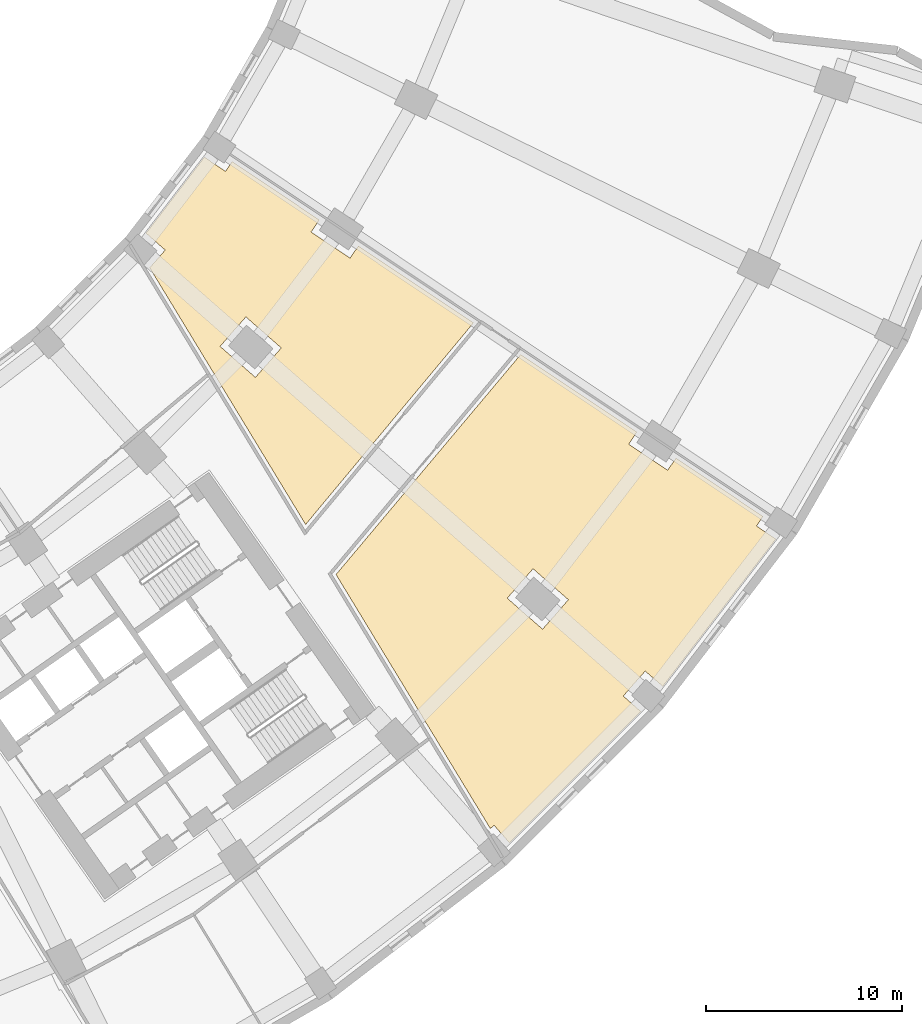
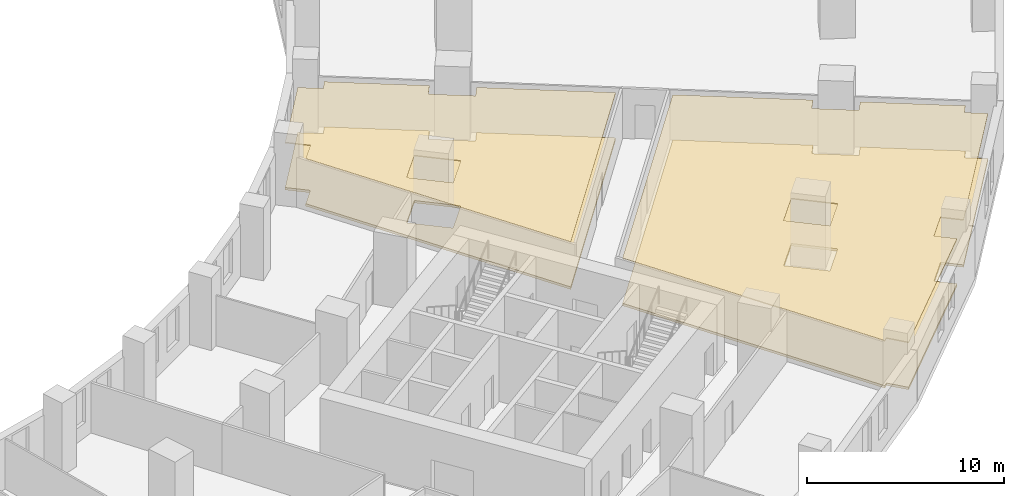
# One storey, part 20 of 20: 4 coverings.
"""IFC4 building model written with IfcOpenShell, lengths in metres."""

from ifc_helpers import new_model, si_unit, direction, frame, origin, place, context, subcontext, project, spatial, polyline, outline, extrude, material, layer, layer_set, type_object, element, save


model = new_model("IFC4")

# Units and contexts
model_context = context("Model", 3, precision=1e-05, world=origin(), true_north=direction((0.0, 1.0)))
body_context = subcontext(model_context, "Body", "Model", "MODEL_VIEW")
ifc_project = project(units=[si_unit("LENGTHUNIT", "METRE"), si_unit("AREAUNIT", "SQUARE_METRE"), si_unit("VOLUMEUNIT", "CUBIC_METRE"), si_unit("PLANEANGLEUNIT", "RADIAN"), si_unit("MASSUNIT", "GRAM", prefix="KILO")], contexts=[model_context])

# Site, building, storey
site_placement = place(None, origin())
site = spatial("IfcSite", under=ifc_project, at=site_placement, CompositionType="ELEMENT")
building_placement = place(site_placement, origin())
building = spatial("IfcBuilding", under=site, at=building_placement, Name="Qamariyya Broadcast Tower", CompositionType="ELEMENT")
storey_placement = place(building_placement, frame((0.0, 0.0, 27.0)))
storey = spatial("IfcBuildingStorey", under=building, at=storey_placement, Name="L03", CompositionType="ELEMENT", Elevation=27.0)

# Coverings
ifc_material_1 = material(Name="Raised access floor")
ifc_layer_1 = layer(ifc_material_1, 0.14990234375)
ifc_layer_set_1 = layer_set([ifc_layer_1], Name="Raised access floor 150")
covering_type_1 = type_object("IfcCoveringType", Name="Raised access floor 150", PredefinedType="FLOORING", material=ifc_layer_set_1)
covering_1_placement = place(storey_placement, origin())
element("IfcCovering", 1, at=covering_1_placement, inside=storey, type_object=covering_type_1, Name="Flooring L03-F07", PredefinedType="FLOORING", context=body_context, shape_type="SweptSolid", body=[
    extrude(outline(polyline([(38.63818359375, -34.3525390625), (39.4306640625, -33.44921875), (38.449951171875, -32.589111328125), (41.430419921875, -28.705078125), (42.5146484375, -29.4296875), (42.84814453125, -28.930908203125), (47.29638671875, -31.903076171875), (46.8798828125, -32.52685546875), (48.875244140625, -33.860107421875), (49.2919921875, -33.236572265625), (55.17236328125, -37.16552734375), (46.601318359375, -47.4619140625), (38.63818359375, -34.3525390625)]), holes=[polyline([(44.03759765625, -39.949951171875), (45.356201171875, -38.4462890625), (43.5517578125, -36.86376953125), (42.233154296875, -38.367431640625), (44.03759765625, -39.949951171875)])]), origin(), (0.0, 0.0, 1.0), 0.14990234375),
])
covering_2_placement = place(storey_placement, origin())
element("IfcCovering", 2, at=covering_2_placement, inside=storey, type_object=covering_type_1, Name="Flooring L03-F08", PredefinedType="FLOORING", context=body_context, shape_type="SweptSolid", body=[
    extrude(outline(polyline([(57.585205078125, -38.77783203125), (63.510009765625, -42.73681640625), (63.093505859375, -43.3603515625), (65.0888671875, -44.69384765625), (65.505615234375, -44.070068359375), (69.9541015625, -47.04248046875), (69.62060546875, -47.541259765625), (70.6123046875, -48.2041015625), (64.83740234375, -55.730224609375), (63.9404296875, -54.94384765625), (62.819580078125, -56.221923828125), (63.716552734375, -57.00830078125), (57.00830078125, -63.716552734375), (56.221923828125, -62.819580078125), (56.031494140625, -62.986572265625), (48.1533203125, -50.016845703125), (57.585205078125, -38.77783203125)]), holes=[polyline([(58.698486328125, -52.80712890625), (60.01708984375, -51.303466796875), (58.212646484375, -49.72119140625), (56.89404296875, -51.224853515625), (58.698486328125, -52.80712890625)])]), origin(), (0.0, 0.0, 1.0), 0.14990234375),
])
ifc_material_2 = material(Name="Perforated plasterboard ceiling")
ifc_layer_2 = layer(ifc_material_2, 0.06005859375)
ifc_layer_set_2 = layer_set([ifc_layer_2], Name="Suspended acoustic ceiling 60")
covering_type_2 = type_object("IfcCoveringType", Name="Suspended acoustic ceiling 60", PredefinedType="CEILING", material=ifc_layer_set_2)
covering_3_placement = place(storey_placement, frame((0.0, 0.0, 2.889892578125)))
element("IfcCovering", 3, at=covering_3_placement, inside=storey, type_object=covering_type_2, Name="Ceiling L03-C08", PredefinedType="CEILING", context=body_context, shape_type="SweptSolid", body=[
    extrude(outline(polyline([(38.63818359375, -34.3525390625), (39.4306640625, -33.44921875), (38.449951171875, -32.589111328125), (41.430419921875, -28.705078125), (42.5146484375, -29.4296875), (42.84814453125, -28.930908203125), (47.29638671875, -31.903076171875), (46.8798828125, -32.52685546875), (48.875244140625, -33.860107421875), (49.2919921875, -33.236572265625), (55.17236328125, -37.16552734375), (46.601318359375, -47.4619140625), (38.63818359375, -34.3525390625)]), holes=[polyline([(44.03759765625, -39.949951171875), (45.356201171875, -38.4462890625), (43.5517578125, -36.86376953125), (42.233154296875, -38.367431640625), (44.03759765625, -39.949951171875)])]), origin(), (0.0, 0.0, 1.0), 0.06005859375),
])
covering_4_placement = place(storey_placement, frame((0.0, 0.0, 2.889892578125)))
element("IfcCovering", 4, at=covering_4_placement, inside=storey, type_object=covering_type_2, Name="Ceiling L03-C09", PredefinedType="CEILING", context=body_context, shape_type="SweptSolid", body=[
    extrude(outline(polyline([(57.585205078125, -38.77783203125), (63.510009765625, -42.73681640625), (63.093505859375, -43.3603515625), (65.0888671875, -44.69384765625), (65.505615234375, -44.070068359375), (69.9541015625, -47.04248046875), (69.62060546875, -47.541259765625), (70.6123046875, -48.2041015625), (64.83740234375, -55.730224609375), (63.9404296875, -54.94384765625), (62.819580078125, -56.221923828125), (63.716552734375, -57.00830078125), (57.00830078125, -63.716552734375), (56.221923828125, -62.819580078125), (56.031494140625, -62.986572265625), (48.1533203125, -50.016845703125), (57.585205078125, -38.77783203125)]), holes=[polyline([(58.698486328125, -52.80712890625), (60.01708984375, -51.303466796875), (58.212646484375, -49.72119140625), (56.89404296875, -51.224853515625), (58.698486328125, -52.80712890625)])]), origin(), (0.0, 0.0, 1.0), 0.06005859375),
])

save(model, "model.ifc")
